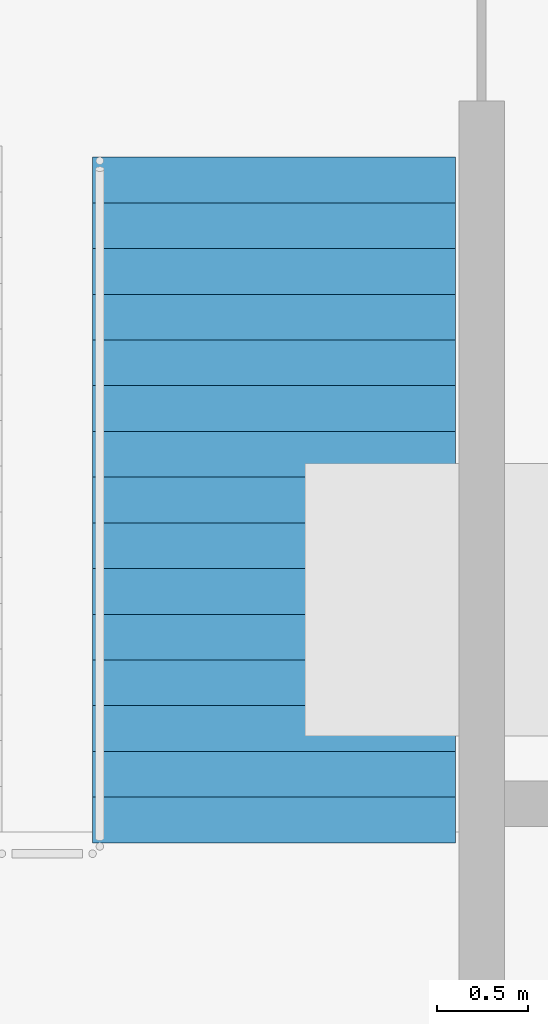
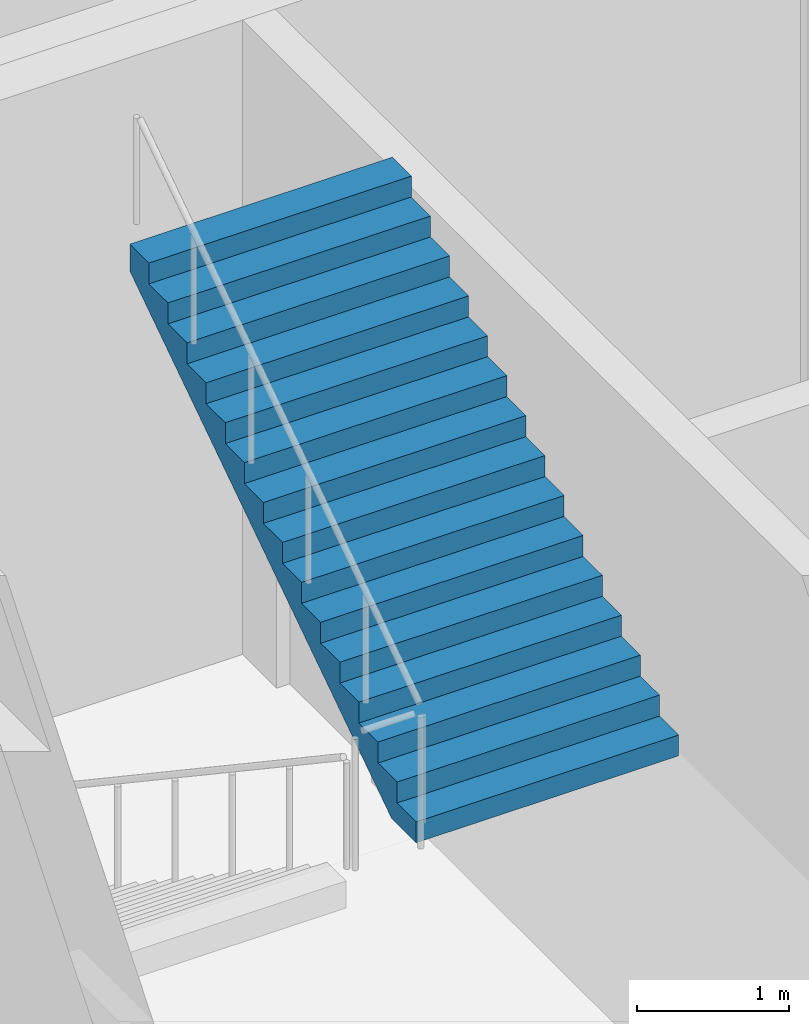
# One storey, part 87 of 102: 1 stair flight, 1 element without a shape of its own.
"""IFC4 building model written with IfcOpenShell, lengths in metres."""

from ifc_helpers import new_model, si_unit, direction, frame, origin, place, context, subcontext, project, spatial, polyline, outline, extrude, material, type_object, element, aggregate, save


model = new_model("IFC4")

# Units and contexts
model_context = context("Model", 3, precision=1e-05, world=origin(), true_north=direction((0.0, 1.0)))
body_context = subcontext(model_context, "Body", "Model", "MODEL_VIEW")
ifc_project = project(units=[si_unit("LENGTHUNIT", "METRE"), si_unit("AREAUNIT", "SQUARE_METRE"), si_unit("VOLUMEUNIT", "CUBIC_METRE"), si_unit("PLANEANGLEUNIT", "RADIAN"), si_unit("MASSUNIT", "GRAM", prefix="KILO")], contexts=[model_context])

# Site, building, storey
site_placement = place(None, origin())
site = spatial("IfcSite", under=ifc_project, at=site_placement, CompositionType="ELEMENT")
building_placement = place(site_placement, origin())
building = spatial("IfcBuilding", under=site, at=building_placement, Name="Kolvemor Railside Polytechnic", CompositionType="ELEMENT")
storey_placement = place(building_placement, origin())
storey = spatial("IfcBuildingStorey", under=building, at=storey_placement, Name="L00", CompositionType="ELEMENT", Elevation=0.0)

# Stair, stair flight
ifc_material_1 = material(Name="Concrete C40/50", Category="concrete")
stair_type = type_object("IfcStairType", Name="STR-CORE-540", PredefinedType="HALF_TURN_STAIR", material=ifc_material_1)
stair_placement = place(storey_placement, origin())
stair = element("IfcStair", 1, at=stair_placement, inside=storey, type_object=stair_type, Name="Core Stair ST-9 (L00 to L01)", PredefinedType="HALF_TURN_STAIR")
ifc_material_2 = material(Name="Concrete C40/50", Category="concrete")
stair_flight_type = type_object("IfcStairFlightType", Name="SFL-RC-200", PredefinedType="STRAIGHT", material=ifc_material_2)
stair_flight_placement = place(storey_placement, frame((128.679931640625, 94.659912109375, 2.699951171875), z_axis=(0.0, 0.0, 1.0), x_axis=(0.0, 1.0, 0.0)))
stair_flight = element("IfcStairFlight", 2, at=stair_flight_placement, type_object=stair_flight_type, Name="ST-9-L00 flight 2", NumberOfRisers=16, NumberOfTreads=15, PredefinedType="STRAIGHT", RiserHeight=0.16875, TreadLength=0.252, context=body_context, shape_type="SweptSolid", body=[
    extrude(outline(polyline([(0.0, 0.0), (0.0, 0.168701171875), (0.251953125, 0.168701171875), (0.251953125, 0.33740234375), (0.50390625, 0.33740234375), (0.50390625, 0.50634765625), (0.756103515625, 0.50634765625), (0.756103515625, 0.675048828125), (1.008056640625, 0.675048828125), (1.008056640625, 0.84375), (1.260009765625, 0.84375), (1.260009765625, 1.012451171875), (1.511962890625, 1.012451171875), (1.511962890625, 1.18115234375), (1.763916015625, 1.18115234375), (1.763916015625, 1.35009765625), (2.01611328125, 1.35009765625), (2.01611328125, 1.518798828125), (2.26806640625, 1.518798828125), (2.26806640625, 1.6875), (2.52001953125, 1.6875), (2.52001953125, 1.856201171875), (2.77197265625, 1.856201171875), (2.77197265625, 2.02490234375), (3.02392578125, 2.02490234375), (3.02392578125, 2.19384765625), (3.27587890625, 2.19384765625), (3.27587890625, 2.362548828125), (3.528076171875, 2.362548828125), (3.528076171875, 2.53125), (3.780029296875, 2.53125), (3.780029296875, 2.699951171875), (3.780029296875, 2.314697265625), (0.323486328125, 0.0), (0.0, 0.0)])), frame((0.0, 1.0, 0.0), z_axis=(0.0, -1.0, 0.0), x_axis=(1.0, 0.0, 0.0)), (0.0, 0.0, 1.0), 2.0),
])
aggregate(stair, [stair_flight])

save(model, "model.ifc")
